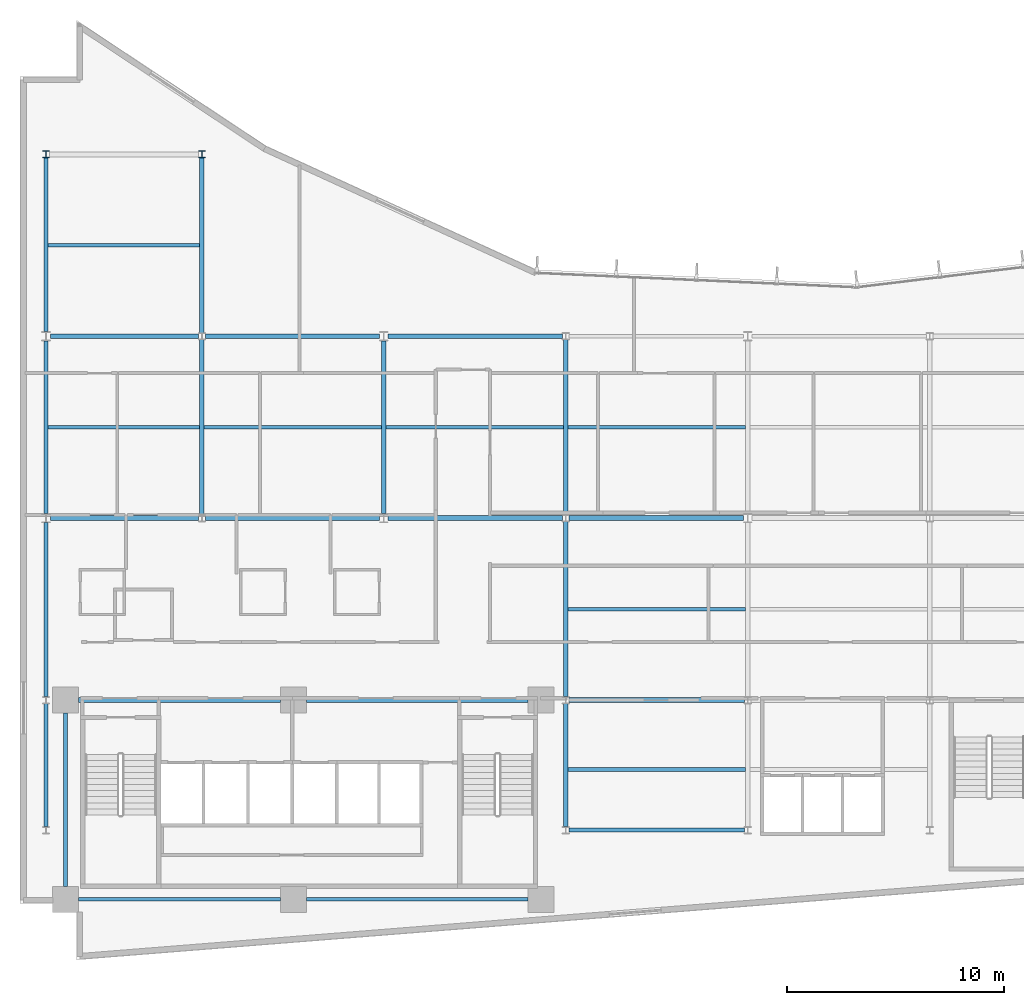
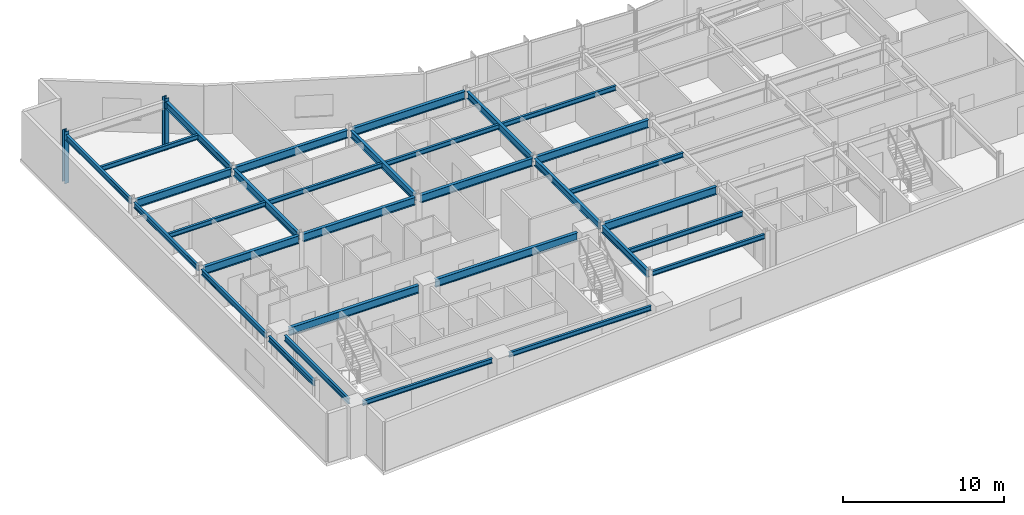
# One storey, part 3 of 17: 31 beams, 2 columns.
"""IFC4 building model written with IfcOpenShell, lengths in metres."""

import ifcopenshell
import ifcopenshell.guid

model = None  # the IFC model being written
_history = None  # IfcOwnerHistory: only IFC2X3 demands one
_inside = {}  # id of a spatial element -> (the spatial element, [elements in it])
_under = {}  # id of a project, library or spatial element -> (it, [spatial elements below it])
_declared = {}  # id of a project -> (the project, [libraries it declares])
_typed = {}  # id of a type object -> (the type object, [elements of that type])
_made_of = {}  # id of a material, layer set ... -> (it, [elements and type objects made of it])


def new_model(schema):
    """Start an empty IFC model of exactly this schema.

    Asked for "IFC4X3", IfcOpenShell would pick the latest addendum, in which some entities
    have other attributes; the version numbers below select the first issue.
    IFC2X3 requires an IfcOwnerHistory on every rooted entity: one is made here for all.
    """
    global model, _history
    if schema == "IFC4X3":
        model = ifcopenshell.file(schema_version=(4, 3, 0, 0))
    else:
        model = ifcopenshell.file(schema=schema)
    _inside.clear()
    _under.clear()
    _declared.clear()
    _typed.clear()
    _made_of.clear()
    _history = None
    if model.schema == "IFC2X3":
        org = make("IfcOrganization", Name="unknown")
        user = make(
            "IfcPersonAndOrganization",
            ThePerson=make("IfcPerson", FamilyName="unknown"),
            TheOrganization=org,
        )
        app = make(
            "IfcApplication",
            ApplicationDeveloper=org,
            Version="unknown",
            ApplicationFullName="unknown",
            ApplicationIdentifier="unknown",
        )
        _history = make(
            "IfcOwnerHistory",
            OwningUser=user,
            OwningApplication=app,
            ChangeAction="ADDED",
            CreationDate=0,
        )
    return model


def make(cls, **values):
    """One entity of the class cls with the attributes given. An attribute that is None is left unset."""
    return model.create_entity(
        cls, **{name: value for name, value in values.items() if value is not None}
    )


def rooted(cls, **values):
    """An entity with a GlobalId (a new one), such as an element, a storey or a relation."""
    return make(cls, GlobalId=ifcopenshell.guid.new(), OwnerHistory=_history, **values)


def si_unit(unit_type, name, prefix=None):
    """IfcSIUnit, for example si_unit("LENGTHUNIT", "METRE", prefix="MILLI")."""
    return make("IfcSIUnit", UnitType=unit_type, Prefix=prefix, Name=name)


def assignment(units):
    """IfcUnitAssignment: the units of a project."""
    return None if units is None else make("IfcUnitAssignment", Units=units)


def point(xyz):
    """IfcCartesianPoint."""
    return None if xyz is None else make("IfcCartesianPoint", Coordinates=xyz)


def direction(xyz):
    """IfcDirection."""
    return None if xyz is None else make("IfcDirection", DirectionRatios=xyz)


def frame(location, z_axis=None, x_axis=None):
    """IfcAxis2Placement3D, a coordinate frame: its origin and axes. An axis left out is left unset."""
    return make(
        "IfcAxis2Placement3D",
        Location=point(location),
        Axis=direction(z_axis),
        RefDirection=direction(x_axis),
    )


def frame_2d(location, x_axis=None):
    """IfcAxis2Placement2D, a coordinate frame in the plane: its origin and x axis."""
    return make(
        "IfcAxis2Placement2D", Location=point(location), RefDirection=direction(x_axis)
    )


def origin():
    """The frame at (0, 0, 0) with its axes left unset."""
    return frame((0.0, 0.0, 0.0))


def origin_2d():
    """The frame at (0, 0) in the plane with its x axis left unset."""
    return frame_2d((0.0, 0.0))


def place(relative_to, where):
    """IfcLocalPlacement: puts the frame where relative to a parent placement (None: the world)."""
    return make(
        "IfcLocalPlacement", PlacementRelTo=relative_to, RelativePlacement=where
    )


def context(
    kind, dimensions, precision=None, world=None, true_north=None, identifier=None
):
    """IfcGeometricRepresentationContext, for example the 3D "Model" context."""
    return make(
        "IfcGeometricRepresentationContext",
        ContextIdentifier=identifier,
        ContextType=kind,
        CoordinateSpaceDimension=dimensions,
        Precision=precision,
        WorldCoordinateSystem=world,
        TrueNorth=true_north,
    )


def subcontext(parent, identifier, kind, view, scale=None):
    """IfcGeometricRepresentationSubContext, for example "Body" below "Model"."""
    return make(
        "IfcGeometricRepresentationSubContext",
        ContextIdentifier=identifier,
        ContextType=kind,
        ParentContext=parent,
        TargetScale=scale,
        TargetView=view,
    )


def project(units=None, contexts=None):
    """IfcProject with its units and contexts."""
    return rooted(
        "IfcProject",
        Name="project",
        RepresentationContexts=contexts,
        UnitsInContext=assignment(units),
    )


def spatial(cls, under=None, at=None, **own):
    """A site, building, storey or space (cls), placed at a placement, below another one or the project."""
    s = rooted(cls, ObjectPlacement=at, **own)
    if under is not None:
        _under.setdefault(under.id(), (under, []))[1].append(s)
    return s


def profile(cls, at=None, kind="AREA", **sizes):
    """A parametric profile (cls). Its sizes go by their IFC names, for example OverallWidth=200.0."""
    return make(cls, ProfileType=kind, Position=at, **sizes)


def i_section(**sizes):
    """IfcIShapeProfileDef."""
    return profile("IfcIShapeProfileDef", **sizes)


def extrude(swept, where, along, depth):
    """IfcExtrudedAreaSolid: the profile swept, set in the frame where, extruded along a direction by depth."""
    return make(
        "IfcExtrudedAreaSolid",
        SweptArea=swept,
        Position=where,
        ExtrudedDirection=direction(along),
        Depth=depth,
    )


def shape(context_of_items, identifier, shape_type, items):
    """IfcShapeRepresentation: the items that make up one representation, for example the "Body"."""
    return make(
        "IfcShapeRepresentation",
        ContextOfItems=context_of_items,
        RepresentationIdentifier=identifier,
        RepresentationType=shape_type,
        Items=items,
    )


def material(Name=None, Category=None):
    """IfcMaterial."""
    return make("IfcMaterial", Name=Name, Category=Category)


def material_profile(
    of_material, cross_section, Name=None, Category=None, Priority=None
):
    """IfcMaterialProfile: a cross section and its material."""
    return make(
        "IfcMaterialProfile",
        Name=Name,
        Material=of_material,
        Profile=cross_section,
        Priority=Priority,
        Category=Category,
    )


def profile_set(profiles, Name=None, composite=None):
    """IfcMaterialProfileSet."""
    return make(
        "IfcMaterialProfileSet",
        Name=Name,
        MaterialProfiles=profiles,
        CompositeProfile=composite,
    )


def made_of(thing, what):
    """Note that an element or type object is made of a material, layer set ...; save() writes the relation."""
    if what is not None:
        _made_of.setdefault(what.id(), (what, []))[1].append(thing)
    return thing


def type_object(cls, material=None, **own):
    """A type object (cls), such as IfcWallType, which elements share."""
    return made_of(rooted(cls, **own), material)


def element(
    cls,
    number,
    at=None,
    inside=None,
    cuts=None,
    type_object=None,
    material=None,
    context=None,
    identifier="Body",
    shape_type=None,
    held_by="IfcProductDefinitionShape",
    body=None,
    shapes=None,
    **own,
):
    """One element of the class cls, such as IfcWall. Its Tag is "e" and its number.

    at: its placement. inside: the storey or other place that contains it. cuts: it is an
    opening in that element (IfcRelVoidsElement). A single representation is given by context,
    identifier, shape_type and body (its items); several are given by shapes. held_by: the class
    of the entity that holds the representations. save() writes the other relations.
    """
    e = rooted(cls, Tag="e%d" % number, ObjectPlacement=at, **own)
    if body is not None:
        shapes = [shape(context, identifier, shape_type, body)]
    if shapes is not None:
        e.Representation = make(held_by, Representations=shapes)
    if inside is not None:
        _inside.setdefault(inside.id(), (inside, []))[1].append(e)
    if cuts is not None:
        rooted(
            "IfcRelVoidsElement", RelatingBuildingElement=cuts, RelatedOpeningElement=e
        )
    if type_object is not None:
        _typed.setdefault(type_object.id(), (type_object, []))[1].append(e)
    return made_of(e, material)


def aggregate(whole, parts):
    """IfcRelAggregates: a whole, such as a stair, and the parts it consists of."""
    return rooted("IfcRelAggregates", RelatingObject=whole, RelatedObjects=parts)


def save(model, path):
    """Write the relations noted so far, then the file.

    IfcRelAggregates (storeys below a building ...), IfcRelContainedInSpatialStructure (elements
    in a storey), IfcRelDefinesByType, IfcRelAssociatesMaterial and IfcRelDeclares: one each for
    every whole, place, type object, material and project.
    """
    for whole, parts in _under.values():
        aggregate(whole, parts)
    for where, things in _inside.values():
        rooted(
            "IfcRelContainedInSpatialStructure",
            RelatedElements=things,
            RelatingStructure=where,
        )
    for kind, things in _typed.values():
        rooted("IfcRelDefinesByType", RelatedObjects=things, RelatingType=kind)
    for what, things in _made_of.values():
        rooted("IfcRelAssociatesMaterial", RelatedObjects=things, RelatingMaterial=what)
    for by, libraries in _declared.values():
        rooted("IfcRelDeclares", RelatingContext=by, RelatedDefinitions=libraries)
    model.write(path)


model = new_model("IFC4")

# Units and contexts
model_context = context("Model", 3, precision=1e-05, world=origin(), true_north=direction((0.0, 1.0)))
body_context = subcontext(model_context, "Body", "Model", "MODEL_VIEW")
ifc_project = project(units=[si_unit("LENGTHUNIT", "METRE"), si_unit("AREAUNIT", "SQUARE_METRE"), si_unit("VOLUMEUNIT", "CUBIC_METRE"), si_unit("PLANEANGLEUNIT", "RADIAN"), si_unit("MASSUNIT", "GRAM", prefix="KILO")], contexts=[model_context])

# Site, building, storey
site_placement = place(None, origin())
site = spatial("IfcSite", under=ifc_project, at=site_placement, CompositionType="ELEMENT")
building_placement = place(site_placement, origin())
building = spatial("IfcBuilding", under=site, at=building_placement, Name="Varnakote Quay Hospital", CompositionType="ELEMENT")
storey_placement = place(building_placement, frame((0.0, 0.0, 111.25)))
storey = spatial("IfcBuildingStorey", under=building, at=storey_placement, Name="L27", CompositionType="ELEMENT", Elevation=111.25)

# Columns
ifc_material_1 = material(Name="Structural steel AS/NZS 3679.1 Grade 350 L0 (fy 340 MPa)", Category="steel")
ifc_material_profile_1 = material_profile(ifc_material_1, i_section(OverallWidth=0.30908203125, OverallDepth=0.321044921875, WebThickness=0.013916015625, FlangeThickness=0.021728515625, FilletRadius=0.0166015625, at=origin_2d()), Name="310UC137")
ifc_profile_set_1 = profile_set([ifc_material_profile_1], Name="Structural steel AS/NZS 3679.1 Grade 350 L0 (fy 340 MPa)")
column_type = type_object("IfcColumnType", Name="COL-STL-310UC137", PredefinedType="COLUMN", material=ifc_profile_set_1)
for number, where, z_axis, x_axis, name in (
    (1, (1.199951171875, 37.199951171875, 0.0), (0.0, 0.0, 1.0), (1.0, 0.0, 0.0), "L27 Structural Column C-1-37"),
    (2, (8.39990234375, 37.199951171875, 0.0), (0.0, 0.0, 1.0), (1.0, 0.0, 0.0), "L27 Structural Column C-8-37"),
):
    element("IfcColumn", number, at=place(storey_placement, frame(where, z_axis=z_axis, x_axis=x_axis)), inside=storey, type_object=column_type, Name=name, PredefinedType="COLUMN", context=body_context, shape_type="SweptSolid", body=[
        extrude(i_section(OverallWidth=0.30908203125, OverallDepth=0.321044921875, WebThickness=0.013916015625, FlangeThickness=0.021728515625, FilletRadius=0.0166015625, at=origin_2d()), origin(), (0.0, 0.0, 1.0), 3.949951171875),
    ])

# Beams
ifc_material_2 = material(Name="Structural steel AS/NZS 3679.1 Grade 350 L0 (fy 340 MPa)", Category="steel")
ifc_material_profile_2 = material_profile(ifc_material_2, i_section(OverallWidth=0.208984375, OverallDepth=0.532958984375, WebThickness=0.01025390625, FlangeThickness=0.015625, FilletRadius=0.013916015625, at=origin_2d()), Name="530UB92.4")
ifc_profile_set_2 = profile_set([ifc_material_profile_2], Name="Structural steel AS/NZS 3679.1 Grade 350 L0 (fy 340 MPa)")
beam_type_1 = type_object("IfcBeamType", Name="BM-STL-530UB92-4", PredefinedType="BEAM", material=ifc_profile_set_2)
beam_1_placement = place(storey_placement, frame((8.39990234375, 20.560546875, 3.443603515625), z_axis=(0.0, 1.0, 0.0), x_axis=(-1.0, 0.0, 0.0)))
element("IfcBeam", 3, at=beam_1_placement, inside=storey, type_object=beam_type_1, Name="L27 Primary Tie Beam", PredefinedType="BEAM", context=body_context, shape_type="SweptSolid", body=[
    extrude(i_section(OverallWidth=0.208984375, OverallDepth=0.532958984375, WebThickness=0.01025390625, FlangeThickness=0.015625, FilletRadius=0.013916015625, at=origin_2d()), origin(), (0.0, 0.0, 1.0), 8.078857421875),
])
beam_2_placement = place(storey_placement, frame((8.39990234375, 28.96044921875, 3.443603515625), z_axis=(0.0, 1.0, 0.0), x_axis=(-1.0, 0.0, 0.0)))
element("IfcBeam", 4, at=beam_2_placement, inside=storey, type_object=beam_type_1, Name="L27 Primary Tie Beam", PredefinedType="BEAM", context=body_context, shape_type="SweptSolid", body=[
    extrude(i_section(OverallWidth=0.208984375, OverallDepth=0.532958984375, WebThickness=0.01025390625, FlangeThickness=0.015625, FilletRadius=0.013916015625, at=origin_2d()), origin(), (0.0, 0.0, 1.0), 8.0791015625),
])
beam_3_placement = place(storey_placement, frame((16.800048828125, 20.610107421875, 3.443603515625), z_axis=(0.0, 1.0, 0.0), x_axis=(-1.0, 0.0, 0.0)))
element("IfcBeam", 5, at=beam_3_placement, inside=storey, type_object=beam_type_1, Name="L27 Primary Tie Beam", PredefinedType="BEAM", context=body_context, shape_type="SweptSolid", body=[
    extrude(i_section(OverallWidth=0.208984375, OverallDepth=0.532958984375, WebThickness=0.01025390625, FlangeThickness=0.015625, FilletRadius=0.013916015625, at=origin_2d()), origin(), (0.0, 0.0, 1.0), 7.97998046875),
])
beam_4_placement = place(storey_placement, frame((25.199951171875, 6.160400390625, 3.443603515625), z_axis=(0.0, 1.0, 0.0), x_axis=(-1.0, 0.0, 0.0)))
element("IfcBeam", 6, at=beam_4_placement, inside=storey, type_object=beam_type_1, Name="L27 Primary Tie Beam", PredefinedType="BEAM", context=body_context, shape_type="SweptSolid", body=[
    extrude(i_section(OverallWidth=0.208984375, OverallDepth=0.532958984375, WebThickness=0.01025390625, FlangeThickness=0.015625, FilletRadius=0.013916015625, at=origin_2d()), origin(), (0.0, 0.0, 1.0), 5.67919921875),
])
beam_5_placement = place(storey_placement, frame((25.199951171875, 12.160400390625, 3.443603515625), z_axis=(0.0, 1.0, 0.0), x_axis=(-1.0, 0.0, 0.0)))
element("IfcBeam", 7, at=beam_5_placement, inside=storey, type_object=beam_type_1, Name="L27 Primary Tie Beam", PredefinedType="BEAM", context=body_context, shape_type="SweptSolid", body=[
    extrude(i_section(OverallWidth=0.208984375, OverallDepth=0.532958984375, WebThickness=0.01025390625, FlangeThickness=0.015625, FilletRadius=0.013916015625, at=origin_2d()), origin(), (0.0, 0.0, 1.0), 8.0791015625),
])
beam_6_placement = place(storey_placement, frame((25.199951171875, 20.560546875, 3.443603515625), z_axis=(0.0, 1.0, 0.0), x_axis=(-1.0, 0.0, 0.0)))
element("IfcBeam", 8, at=beam_6_placement, inside=storey, type_object=beam_type_1, Name="L27 Primary Tie Beam", PredefinedType="BEAM", context=body_context, shape_type="SweptSolid", body=[
    extrude(i_section(OverallWidth=0.208984375, OverallDepth=0.532958984375, WebThickness=0.01025390625, FlangeThickness=0.015625, FilletRadius=0.013916015625, at=origin_2d()), origin(), (0.0, 0.0, 1.0), 8.078857421875),
])
ifc_material_3 = material(Name="Structural steel AS/NZS 3679.1 Grade 350 L0 (fy 340 MPa)", Category="steel")
ifc_material_profile_3 = material_profile(ifc_material_3, i_section(OverallWidth=0.22802734375, OverallDepth=0.60205078125, WebThickness=0.010498046875, FlangeThickness=0.014892578125, FilletRadius=0.013916015625, at=origin_2d()), Name="610UB101")
ifc_profile_set_3 = profile_set([ifc_material_profile_3], Name="Structural steel AS/NZS 3679.1 Grade 350 L0 (fy 340 MPa)")
beam_type_2 = type_object("IfcBeamType", Name="BM-STL-610UB101", PredefinedType="BEAM", material=ifc_profile_set_3)
beam_7_placement = place(storey_placement, frame((2.699951171875, 12.0, 3.408935546875), z_axis=(1.0, 0.0, 0.0), x_axis=(0.0, 1.0, 0.0)))
element("IfcBeam", 9, at=beam_7_placement, inside=storey, type_object=beam_type_2, Name="L27 Primary Floor Beam", PredefinedType="BEAM", context=body_context, shape_type="SweptSolid", body=[
    extrude(i_section(OverallWidth=0.22802734375, OverallDepth=0.60205078125, WebThickness=0.010498046875, FlangeThickness=0.014892578125, FilletRadius=0.013916015625, at=origin_2d()), origin(), (0.0, 0.0, 1.0), 9.320068359375),
])
beam_8_placement = place(storey_placement, frame((13.219970703125, 12.0, 3.408935546875), z_axis=(1.0, 0.0, 0.0), x_axis=(0.0, 1.0, 0.0)))
element("IfcBeam", 10, at=beam_8_placement, inside=storey, type_object=beam_type_2, Name="L27 Primary Floor Beam", PredefinedType="BEAM", context=body_context, shape_type="SweptSolid", body=[
    extrude(i_section(OverallWidth=0.22802734375, OverallDepth=0.60205078125, WebThickness=0.010498046875, FlangeThickness=0.014892578125, FilletRadius=0.013916015625, at=origin_2d()), origin(), (0.0, 0.0, 1.0), 10.22998046875),
])
beam_9_placement = place(storey_placement, frame((25.3544921875, 12.0, 3.408935546875), z_axis=(1.0, 0.0, 0.0), x_axis=(0.0, 1.0, 0.0)))
element("IfcBeam", 11, at=beam_9_placement, inside=storey, type_object=beam_type_2, Name="L27 Primary Floor Beam", PredefinedType="BEAM", context=body_context, shape_type="SweptSolid", body=[
    extrude(i_section(OverallWidth=0.22802734375, OverallDepth=0.60205078125, WebThickness=0.010498046875, FlangeThickness=0.014892578125, FilletRadius=0.013916015625, at=origin_2d()), origin(), (0.0, 0.0, 1.0), 8.091064453125),
])
beam_10_placement = place(storey_placement, frame((1.39990234375, 20.39990234375, 3.408935546875), z_axis=(1.0, 0.0, 0.0), x_axis=(0.0, 1.0, 0.0)))
element("IfcBeam", 12, at=beam_10_placement, inside=storey, type_object=beam_type_2, Name="L27 Primary Floor Beam", PredefinedType="BEAM", context=body_context, shape_type="SweptSolid", body=[
    extrude(i_section(OverallWidth=0.22802734375, OverallDepth=0.60205078125, WebThickness=0.010498046875, FlangeThickness=0.014892578125, FilletRadius=0.013916015625, at=origin_2d()), origin(), (0.0, 0.0, 1.0), 6.845703125),
])
beam_11_placement = place(storey_placement, frame((8.554443359375, 20.39990234375, 3.408935546875), z_axis=(1.0, 0.0, 0.0), x_axis=(0.0, 1.0, 0.0)))
element("IfcBeam", 13, at=beam_11_placement, inside=storey, type_object=beam_type_2, Name="L27 Primary Floor Beam", PredefinedType="BEAM", context=body_context, shape_type="SweptSolid", body=[
    extrude(i_section(OverallWidth=0.22802734375, OverallDepth=0.60205078125, WebThickness=0.010498046875, FlangeThickness=0.014892578125, FilletRadius=0.013916015625, at=origin_2d()), origin(), (0.0, 0.0, 1.0), 8.045654296875),
])
for number, where, z_axis, x_axis, name in (
    (14, (17.0, 20.39990234375, 3.408935546875), (1.0, 0.0, 0.0), (0.0, 1.0, 0.0), "L27 Primary Floor Beam"),
    (15, (25.3544921875, 20.39990234375, 3.408935546875), (1.0, 0.0, 0.0), (0.0, 1.0, 0.0), "L27 Primary Floor Beam"),
):
    element("IfcBeam", number, at=place(storey_placement, frame(where, z_axis=z_axis, x_axis=x_axis)), inside=storey, type_object=beam_type_2, Name=name, PredefinedType="BEAM", context=body_context, shape_type="SweptSolid", body=[
        extrude(i_section(OverallWidth=0.22802734375, OverallDepth=0.60205078125, WebThickness=0.010498046875, FlangeThickness=0.014892578125, FilletRadius=0.013916015625, at=origin_2d()), origin(), (0.0, 0.0, 1.0), 8.04541015625),
    ])
beam_12_placement = place(storey_placement, frame((1.39990234375, 28.800048828125, 3.408935546875), z_axis=(1.0, 0.0, 0.0), x_axis=(0.0, 1.0, 0.0)))
element("IfcBeam", 16, at=beam_12_placement, inside=storey, type_object=beam_type_2, Name="L27 Primary Floor Beam", PredefinedType="BEAM", context=body_context, shape_type="SweptSolid", body=[
    extrude(i_section(OverallWidth=0.22802734375, OverallDepth=0.60205078125, WebThickness=0.010498046875, FlangeThickness=0.014892578125, FilletRadius=0.013916015625, at=origin_2d()), origin(), (0.0, 0.0, 1.0), 6.845703125),
])
beam_13_placement = place(storey_placement, frame((8.554443359375, 28.800048828125, 3.408935546875), z_axis=(1.0, 0.0, 0.0), x_axis=(0.0, 1.0, 0.0)))
element("IfcBeam", 17, at=beam_13_placement, inside=storey, type_object=beam_type_2, Name="L27 Primary Floor Beam", PredefinedType="BEAM", context=body_context, shape_type="SweptSolid", body=[
    extrude(i_section(OverallWidth=0.22802734375, OverallDepth=0.60205078125, WebThickness=0.010498046875, FlangeThickness=0.014892578125, FilletRadius=0.013916015625, at=origin_2d()), origin(), (0.0, 0.0, 1.0), 8.045654296875),
])
beam_14_placement = place(storey_placement, frame((17.0, 28.800048828125, 3.408935546875), z_axis=(1.0, 0.0, 0.0), x_axis=(0.0, 1.0, 0.0)))
element("IfcBeam", 18, at=beam_14_placement, inside=storey, type_object=beam_type_2, Name="L27 Primary Floor Beam", PredefinedType="BEAM", context=body_context, shape_type="SweptSolid", body=[
    extrude(i_section(OverallWidth=0.22802734375, OverallDepth=0.60205078125, WebThickness=0.010498046875, FlangeThickness=0.014892578125, FilletRadius=0.013916015625, at=origin_2d()), origin(), (0.0, 0.0, 1.0), 8.04541015625),
])
ifc_material_4 = material(Name="Structural steel AS/NZS 3679.1 Grade 350 L0 (fy 340 MPa)", Category="steel")
ifc_material_profile_4 = material_profile(ifc_material_4, i_section(OverallWidth=0.1708984375, OverallDepth=0.35595703125, WebThickness=0.00732421875, FlangeThickness=0.011474609375, FilletRadius=0.011474609375, at=origin_2d()), Name="360UB50.7")
ifc_profile_set_4 = profile_set([ifc_material_profile_4], Name="Structural steel AS/NZS 3679.1 Grade 350 L0 (fy 340 MPa)")
beam_type_3 = type_object("IfcBeamType", Name="JST-STL-360UB50-7", PredefinedType="JOIST", material=ifc_profile_set_4)
for number, where, z_axis, x_axis, name in (
    (19, (25.304443359375, 8.800048828125, 3.531982421875), (1.0, 0.0, 0.0), (0.0, 1.0, 0.0), "L27 Composite Floor Joist"),
    (20, (25.304443359375, 16.199951171875, 3.531982421875), (1.0, 0.0, 0.0), (0.0, 1.0, 0.0), "L27 Composite Floor Joist"),
):
    element("IfcBeam", number, at=place(storey_placement, frame(where, z_axis=z_axis, x_axis=x_axis)), inside=storey, type_object=beam_type_3, Name=name, PredefinedType="JOIST", context=body_context, shape_type="SweptSolid", body=[
        extrude(i_section(OverallWidth=0.1708984375, OverallDepth=0.35595703125, WebThickness=0.00732421875, FlangeThickness=0.011474609375, FilletRadius=0.011474609375, at=origin_2d()), origin(), (0.0, 0.0, 1.0), 8.191162109375),
    ])
beam_15_placement = place(storey_placement, frame((1.2890625, 24.60009765625, 3.531982421875), z_axis=(1.0, 0.0, 0.0), x_axis=(0.0, 1.0, 0.0)))
element("IfcBeam", 21, at=beam_15_placement, inside=storey, type_object=beam_type_3, Name="L27 Composite Floor Joist", PredefinedType="JOIST", context=body_context, shape_type="SweptSolid", body=[
    extrude(i_section(OverallWidth=0.1708984375, OverallDepth=0.35595703125, WebThickness=0.00732421875, FlangeThickness=0.011474609375, FilletRadius=0.011474609375, at=origin_2d()), origin(), (0.0, 0.0, 1.0), 7.00634765625),
])
beam_16_placement = place(storey_placement, frame((8.50439453125, 24.60009765625, 3.531982421875), z_axis=(1.0, 0.0, 0.0), x_axis=(0.0, 1.0, 0.0)))
element("IfcBeam", 22, at=beam_16_placement, inside=storey, type_object=beam_type_3, Name="L27 Composite Floor Joist", PredefinedType="JOIST", context=body_context, shape_type="SweptSolid", body=[
    extrude(i_section(OverallWidth=0.1708984375, OverallDepth=0.35595703125, WebThickness=0.00732421875, FlangeThickness=0.011474609375, FilletRadius=0.011474609375, at=origin_2d()), origin(), (0.0, 0.0, 1.0), 8.191162109375),
])
beam_17_placement = place(storey_placement, frame((16.904541015625, 24.60009765625, 3.531982421875), z_axis=(1.0, 0.0, 0.0), x_axis=(0.0, 1.0, 0.0)))
element("IfcBeam", 23, at=beam_17_placement, inside=storey, type_object=beam_type_3, Name="L27 Composite Floor Joist", PredefinedType="JOIST", context=body_context, shape_type="SweptSolid", body=[
    extrude(i_section(OverallWidth=0.1708984375, OverallDepth=0.35595703125, WebThickness=0.00732421875, FlangeThickness=0.011474609375, FilletRadius=0.011474609375, at=origin_2d()), origin(), (0.0, 0.0, 1.0), 8.19091796875),
])
beam_18_placement = place(storey_placement, frame((25.304443359375, 24.60009765625, 3.531982421875), z_axis=(1.0, 0.0, 0.0), x_axis=(0.0, 1.0, 0.0)))
element("IfcBeam", 24, at=beam_18_placement, inside=storey, type_object=beam_type_3, Name="L27 Composite Floor Joist", PredefinedType="JOIST", context=body_context, shape_type="SweptSolid", body=[
    extrude(i_section(OverallWidth=0.1708984375, OverallDepth=0.35595703125, WebThickness=0.00732421875, FlangeThickness=0.011474609375, FilletRadius=0.011474609375, at=origin_2d()), origin(), (0.0, 0.0, 1.0), 8.191162109375),
])
beam_19_placement = place(storey_placement, frame((1.2890625, 33.0, 3.531982421875), z_axis=(1.0, 0.0, 0.0), x_axis=(0.0, 1.0, 0.0)))
element("IfcBeam", 25, at=beam_19_placement, inside=storey, type_object=beam_type_3, Name="L27 Composite Floor Joist", PredefinedType="JOIST", context=body_context, shape_type="SweptSolid", body=[
    extrude(i_section(OverallWidth=0.1708984375, OverallDepth=0.35595703125, WebThickness=0.00732421875, FlangeThickness=0.011474609375, FilletRadius=0.011474609375, at=origin_2d()), origin(), (0.0, 0.0, 1.0), 7.00634765625),
])
ifc_material_5 = material(Name="Structural steel AS/NZS 3679.1 Grade 350 L0 (fy 340 MPa)", Category="steel")
ifc_material_profile_5 = material_profile(ifc_material_5, i_section(OverallWidth=0.172119140625, OverallDepth=0.35888671875, WebThickness=0.008056640625, FlangeThickness=0.012939453125, FilletRadius=0.011474609375, at=origin_2d()), Name="360UB56.7")
ifc_profile_set_5 = profile_set([ifc_material_profile_5], Name="Structural steel AS/NZS 3679.1 Grade 350 L0 (fy 340 MPa)")
beam_type_4 = type_object("IfcBeamType", Name="SPN-STL-360UB56-7", PredefinedType="SPANDREL", material=ifc_profile_set_5)
beam_20_placement = place(storey_placement, frame((2.699951171875, 2.800048828125, 3.530517578125), z_axis=(1.0, 0.0, 0.0), x_axis=(0.0, 1.0, 0.0)))
element("IfcBeam", 26, at=beam_20_placement, inside=storey, type_object=beam_type_4, Name="L27 Perimeter Spandrel Beam", PredefinedType="SPANDREL", context=body_context, shape_type="SweptSolid", body=[
    extrude(i_section(OverallWidth=0.172119140625, OverallDepth=0.35888671875, WebThickness=0.008056640625, FlangeThickness=0.012939453125, FilletRadius=0.011474609375, at=origin_2d()), origin(), (0.0, 0.0, 1.0), 9.320068359375),
])
beam_21_placement = place(storey_placement, frame((13.219970703125, 2.800048828125, 3.530517578125), z_axis=(1.0, 0.0, 0.0), x_axis=(0.0, 1.0, 0.0)))
element("IfcBeam", 27, at=beam_21_placement, inside=storey, type_object=beam_type_4, Name="L27 Perimeter Spandrel Beam", PredefinedType="SPANDREL", context=body_context, shape_type="SweptSolid", body=[
    extrude(i_section(OverallWidth=0.172119140625, OverallDepth=0.35888671875, WebThickness=0.008056640625, FlangeThickness=0.012939453125, FilletRadius=0.011474609375, at=origin_2d()), origin(), (0.0, 0.0, 1.0), 10.22998046875),
])
beam_22_placement = place(storey_placement, frame((25.3544921875, 6.0, 3.530517578125), z_axis=(1.0, 0.0, 0.0), x_axis=(0.0, 1.0, 0.0)))
element("IfcBeam", 28, at=beam_22_placement, inside=storey, type_object=beam_type_4, Name="L27 Perimeter Spandrel Beam", PredefinedType="SPANDREL", context=body_context, shape_type="SweptSolid", body=[
    extrude(i_section(OverallWidth=0.172119140625, OverallDepth=0.35888671875, WebThickness=0.008056640625, FlangeThickness=0.012939453125, FilletRadius=0.011474609375, at=origin_2d()), origin(), (0.0, 0.0, 1.0), 8.091064453125),
])
ifc_material_6 = material(Name="Structural steel AS/NZS 3679.1 Grade 350 L0 (fy 340 MPa)", Category="steel")
ifc_material_profile_6 = material_profile(ifc_material_6, i_section(OverallWidth=0.177978515625, OverallDepth=0.403076171875, WebThickness=0.007568359375, FlangeThickness=0.010986328125, FilletRadius=0.011474609375, at=origin_2d()), Name="410UB53.7")
ifc_profile_set_6 = profile_set([ifc_material_profile_6], Name="Structural steel AS/NZS 3679.1 Grade 350 L0 (fy 340 MPa)")
beam_type_5 = type_object("IfcBeamType", Name="SPN-STL-410UB53-7", PredefinedType="SPANDREL", material=ifc_profile_set_6)
beam_23_placement = place(storey_placement, frame((1.199951171875, 6.160400390625, 3.508544921875), z_axis=(0.0, 1.0, 0.0), x_axis=(-1.0, 0.0, 0.0)))
element("IfcBeam", 29, at=beam_23_placement, inside=storey, type_object=beam_type_5, Name="L27 Perimeter Spandrel Beam", PredefinedType="SPANDREL", context=body_context, shape_type="SweptSolid", body=[
    extrude(i_section(OverallWidth=0.177978515625, OverallDepth=0.403076171875, WebThickness=0.007568359375, FlangeThickness=0.010986328125, FilletRadius=0.011474609375, at=origin_2d()), origin(), (0.0, 0.0, 1.0), 5.67919921875),
])
beam_24_placement = place(storey_placement, frame((1.199951171875, 12.160400390625, 3.508544921875), z_axis=(0.0, 1.0, 0.0), x_axis=(-1.0, 0.0, 0.0)))
element("IfcBeam", 30, at=beam_24_placement, inside=storey, type_object=beam_type_5, Name="L27 Perimeter Spandrel Beam", PredefinedType="SPANDREL", context=body_context, shape_type="SweptSolid", body=[
    extrude(i_section(OverallWidth=0.177978515625, OverallDepth=0.403076171875, WebThickness=0.007568359375, FlangeThickness=0.010986328125, FilletRadius=0.011474609375, at=origin_2d()), origin(), (0.0, 0.0, 1.0), 8.029541015625),
])
beam_25_placement = place(storey_placement, frame((1.199951171875, 20.610107421875, 3.508544921875), z_axis=(0.0, 1.0, 0.0), x_axis=(-1.0, 0.0, 0.0)))
element("IfcBeam", 31, at=beam_25_placement, inside=storey, type_object=beam_type_5, Name="L27 Perimeter Spandrel Beam", PredefinedType="SPANDREL", context=body_context, shape_type="SweptSolid", body=[
    extrude(i_section(OverallWidth=0.177978515625, OverallDepth=0.403076171875, WebThickness=0.007568359375, FlangeThickness=0.010986328125, FilletRadius=0.011474609375, at=origin_2d()), origin(), (0.0, 0.0, 1.0), 7.97998046875),
])
beam_26_placement = place(storey_placement, frame((1.199951171875, 29.010009765625, 3.508544921875), z_axis=(0.0, 1.0, 0.0), x_axis=(-1.0, 0.0, 0.0)))
element("IfcBeam", 32, at=beam_26_placement, inside=storey, type_object=beam_type_5, Name="L27 Perimeter Spandrel Beam", PredefinedType="SPANDREL", context=body_context, shape_type="SweptSolid", body=[
    extrude(i_section(OverallWidth=0.177978515625, OverallDepth=0.403076171875, WebThickness=0.007568359375, FlangeThickness=0.010986328125, FilletRadius=0.011474609375, at=origin_2d()), origin(), (0.0, 0.0, 1.0), 8.029541015625),
])
beam_27_placement = place(storey_placement, frame((2.10009765625, 3.39990234375, 3.508544921875), z_axis=(0.0, 1.0, 0.0), x_axis=(-1.0, 0.0, 0.0)))
element("IfcBeam", 33, at=beam_27_placement, inside=storey, type_object=beam_type_5, Name="L27 Perimeter Spandrel Beam", PredefinedType="SPANDREL", context=body_context, shape_type="SweptSolid", body=[
    extrude(i_section(OverallWidth=0.177978515625, OverallDepth=0.403076171875, WebThickness=0.007568359375, FlangeThickness=0.010986328125, FilletRadius=0.011474609375, at=origin_2d()), origin(), (0.0, 0.0, 1.0), 8.0),
])

save(model, "model.ifc")
